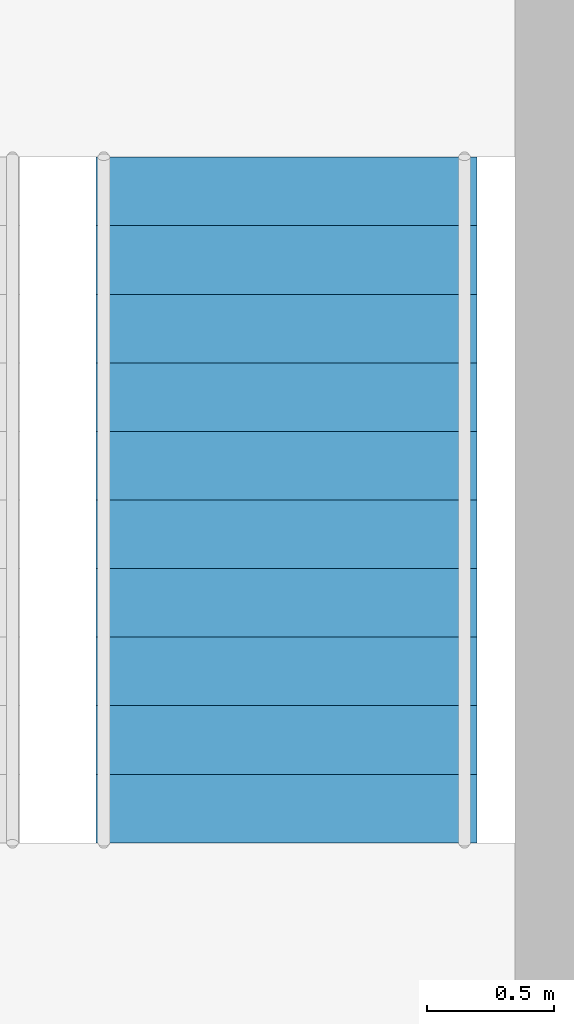
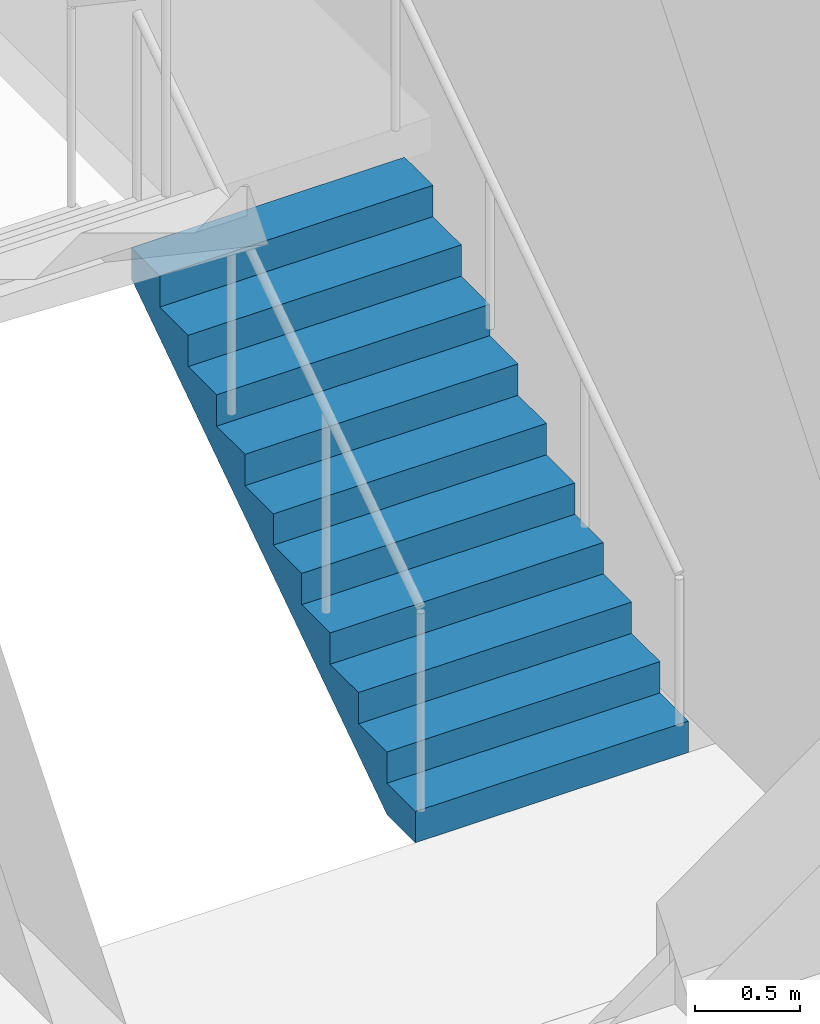
# One storey, part 15 of 16: 1 stair flight, 1 element without a shape of its own.
"""IFC4 building model written with IfcOpenShell, lengths in metres."""

import ifcopenshell
import ifcopenshell.guid

model = None  # the IFC model being written
_history = None  # IfcOwnerHistory: only IFC2X3 demands one
_inside = {}  # id of a spatial element -> (the spatial element, [elements in it])
_under = {}  # id of a project, library or spatial element -> (it, [spatial elements below it])
_declared = {}  # id of a project -> (the project, [libraries it declares])
_typed = {}  # id of a type object -> (the type object, [elements of that type])
_made_of = {}  # id of a material, layer set ... -> (it, [elements and type objects made of it])


def new_model(schema):
    """Start an empty IFC model of exactly this schema.

    Asked for "IFC4X3", IfcOpenShell would pick the latest addendum, in which some entities
    have other attributes; the version numbers below select the first issue.
    IFC2X3 requires an IfcOwnerHistory on every rooted entity: one is made here for all.
    """
    global model, _history
    if schema == "IFC4X3":
        model = ifcopenshell.file(schema_version=(4, 3, 0, 0))
    else:
        model = ifcopenshell.file(schema=schema)
    _inside.clear()
    _under.clear()
    _declared.clear()
    _typed.clear()
    _made_of.clear()
    _history = None
    if model.schema == "IFC2X3":
        org = make("IfcOrganization", Name="unknown")
        user = make(
            "IfcPersonAndOrganization",
            ThePerson=make("IfcPerson", FamilyName="unknown"),
            TheOrganization=org,
        )
        app = make(
            "IfcApplication",
            ApplicationDeveloper=org,
            Version="unknown",
            ApplicationFullName="unknown",
            ApplicationIdentifier="unknown",
        )
        _history = make(
            "IfcOwnerHistory",
            OwningUser=user,
            OwningApplication=app,
            ChangeAction="ADDED",
            CreationDate=0,
        )
    return model


def make(cls, **values):
    """One entity of the class cls with the attributes given. An attribute that is None is left unset."""
    return model.create_entity(
        cls, **{name: value for name, value in values.items() if value is not None}
    )


def rooted(cls, **values):
    """An entity with a GlobalId (a new one), such as an element, a storey or a relation."""
    return make(cls, GlobalId=ifcopenshell.guid.new(), OwnerHistory=_history, **values)


def si_unit(unit_type, name, prefix=None):
    """IfcSIUnit, for example si_unit("LENGTHUNIT", "METRE", prefix="MILLI")."""
    return make("IfcSIUnit", UnitType=unit_type, Prefix=prefix, Name=name)


def assignment(units):
    """IfcUnitAssignment: the units of a project."""
    return None if units is None else make("IfcUnitAssignment", Units=units)


def point(xyz):
    """IfcCartesianPoint."""
    return None if xyz is None else make("IfcCartesianPoint", Coordinates=xyz)


def direction(xyz):
    """IfcDirection."""
    return None if xyz is None else make("IfcDirection", DirectionRatios=xyz)


def frame(location, z_axis=None, x_axis=None):
    """IfcAxis2Placement3D, a coordinate frame: its origin and axes. An axis left out is left unset."""
    return make(
        "IfcAxis2Placement3D",
        Location=point(location),
        Axis=direction(z_axis),
        RefDirection=direction(x_axis),
    )


def origin():
    """The frame at (0, 0, 0) with its axes left unset."""
    return frame((0.0, 0.0, 0.0))


def place(relative_to, where):
    """IfcLocalPlacement: puts the frame where relative to a parent placement (None: the world)."""
    return make(
        "IfcLocalPlacement", PlacementRelTo=relative_to, RelativePlacement=where
    )


def context(
    kind, dimensions, precision=None, world=None, true_north=None, identifier=None
):
    """IfcGeometricRepresentationContext, for example the 3D "Model" context."""
    return make(
        "IfcGeometricRepresentationContext",
        ContextIdentifier=identifier,
        ContextType=kind,
        CoordinateSpaceDimension=dimensions,
        Precision=precision,
        WorldCoordinateSystem=world,
        TrueNorth=true_north,
    )


def subcontext(parent, identifier, kind, view, scale=None):
    """IfcGeometricRepresentationSubContext, for example "Body" below "Model"."""
    return make(
        "IfcGeometricRepresentationSubContext",
        ContextIdentifier=identifier,
        ContextType=kind,
        ParentContext=parent,
        TargetScale=scale,
        TargetView=view,
    )


def project(units=None, contexts=None):
    """IfcProject with its units and contexts."""
    return rooted(
        "IfcProject",
        Name="project",
        RepresentationContexts=contexts,
        UnitsInContext=assignment(units),
    )


def spatial(cls, under=None, at=None, **own):
    """A site, building, storey or space (cls), placed at a placement, below another one or the project."""
    s = rooted(cls, ObjectPlacement=at, **own)
    if under is not None:
        _under.setdefault(under.id(), (under, []))[1].append(s)
    return s


def polyline(points):
    """IfcPolyline through the points."""
    return make("IfcPolyline", Points=[point(p) for p in points])


def outline(outer, holes=None, kind="AREA"):
    """IfcArbitraryClosedProfileDef: a profile drawn as a closed curve; with holes, ...WithVoids."""
    if holes is None:
        return make("IfcArbitraryClosedProfileDef", ProfileType=kind, OuterCurve=outer)
    return make(
        "IfcArbitraryProfileDefWithVoids",
        ProfileType=kind,
        OuterCurve=outer,
        InnerCurves=holes,
    )


def extrude(swept, where, along, depth):
    """IfcExtrudedAreaSolid: the profile swept, set in the frame where, extruded along a direction by depth."""
    return make(
        "IfcExtrudedAreaSolid",
        SweptArea=swept,
        Position=where,
        ExtrudedDirection=direction(along),
        Depth=depth,
    )


def shape(context_of_items, identifier, shape_type, items):
    """IfcShapeRepresentation: the items that make up one representation, for example the "Body"."""
    return make(
        "IfcShapeRepresentation",
        ContextOfItems=context_of_items,
        RepresentationIdentifier=identifier,
        RepresentationType=shape_type,
        Items=items,
    )


def material(Name=None, Category=None):
    """IfcMaterial."""
    return make("IfcMaterial", Name=Name, Category=Category)


def made_of(thing, what):
    """Note that an element or type object is made of a material, layer set ...; save() writes the relation."""
    if what is not None:
        _made_of.setdefault(what.id(), (what, []))[1].append(thing)
    return thing


def type_object(cls, material=None, **own):
    """A type object (cls), such as IfcWallType, which elements share."""
    return made_of(rooted(cls, **own), material)


def element(
    cls,
    number,
    at=None,
    inside=None,
    cuts=None,
    type_object=None,
    material=None,
    context=None,
    identifier="Body",
    shape_type=None,
    held_by="IfcProductDefinitionShape",
    body=None,
    shapes=None,
    **own,
):
    """One element of the class cls, such as IfcWall. Its Tag is "e" and its number.

    at: its placement. inside: the storey or other place that contains it. cuts: it is an
    opening in that element (IfcRelVoidsElement). A single representation is given by context,
    identifier, shape_type and body (its items); several are given by shapes. held_by: the class
    of the entity that holds the representations. save() writes the other relations.
    """
    e = rooted(cls, Tag="e%d" % number, ObjectPlacement=at, **own)
    if body is not None:
        shapes = [shape(context, identifier, shape_type, body)]
    if shapes is not None:
        e.Representation = make(held_by, Representations=shapes)
    if inside is not None:
        _inside.setdefault(inside.id(), (inside, []))[1].append(e)
    if cuts is not None:
        rooted(
            "IfcRelVoidsElement", RelatingBuildingElement=cuts, RelatedOpeningElement=e
        )
    if type_object is not None:
        _typed.setdefault(type_object.id(), (type_object, []))[1].append(e)
    return made_of(e, material)


def aggregate(whole, parts):
    """IfcRelAggregates: a whole, such as a stair, and the parts it consists of."""
    return rooted("IfcRelAggregates", RelatingObject=whole, RelatedObjects=parts)


def save(model, path):
    """Write the relations noted so far, then the file.

    IfcRelAggregates (storeys below a building ...), IfcRelContainedInSpatialStructure (elements
    in a storey), IfcRelDefinesByType, IfcRelAssociatesMaterial and IfcRelDeclares: one each for
    every whole, place, type object, material and project.
    """
    for whole, parts in _under.values():
        aggregate(whole, parts)
    for where, things in _inside.values():
        rooted(
            "IfcRelContainedInSpatialStructure",
            RelatedElements=things,
            RelatingStructure=where,
        )
    for kind, things in _typed.values():
        rooted("IfcRelDefinesByType", RelatedObjects=things, RelatingType=kind)
    for what, things in _made_of.values():
        rooted("IfcRelAssociatesMaterial", RelatedObjects=things, RelatingMaterial=what)
    for by, libraries in _declared.values():
        rooted("IfcRelDeclares", RelatingContext=by, RelatedDefinitions=libraries)
    model.write(path)


model = new_model("IFC4")

# Units and contexts
model_context = context("Model", 3, precision=1e-05, world=origin(), true_north=direction((0.0, 1.0)))
body_context = subcontext(model_context, "Body", "Model", "MODEL_VIEW")
ifc_project = project(units=[si_unit("LENGTHUNIT", "METRE"), si_unit("AREAUNIT", "SQUARE_METRE"), si_unit("VOLUMEUNIT", "CUBIC_METRE"), si_unit("PLANEANGLEUNIT", "RADIAN"), si_unit("MASSUNIT", "GRAM", prefix="KILO")], contexts=[model_context])

# Site, building, storey
site_placement = place(None, origin())
site = spatial("IfcSite", under=ifc_project, at=site_placement, CompositionType="ELEMENT")
building_placement = place(site_placement, origin())
building = spatial("IfcBuilding", under=site, at=building_placement, Name="Peilmerk Tower", CompositionType="ELEMENT")
storey_placement = place(building_placement, frame((0.0, 0.0, 277.800048828125)))
storey = spatial("IfcBuildingStorey", under=building, at=storey_placement, Name="L62", CompositionType="ELEMENT", Elevation=277.800048828125)

# Stair, stair flight
ifc_material = material(Name="Precast concrete C45/55", Category="concrete")
stair_type = type_object("IfcStairType", Name="ST2 22 risers of 181.8", PredefinedType="HALF_TURN_STAIR", material=ifc_material)
stair_placement = place(storey_placement, origin())
stair = element("IfcStair", 1, at=stair_placement, inside=storey, type_object=stair_type, Name="Stair 2 L62 to L63", PredefinedType="HALF_TURN_STAIR")
stair_flight_type = type_object("IfcStairFlightType", Name="SF11 flight, 11 risers of 181.8", PredefinedType="STRAIGHT", material=ifc_material)
stair_flight_placement = place(storey_placement, frame((9.60009765625, -2.89990234375, 0.0), z_axis=(0.0, 0.0, 1.0), x_axis=(0.0, 1.0, 0.0)))
stair_flight = element("IfcStairFlight", 2, at=stair_flight_placement, type_object=stair_flight_type, Name="ST2 flight 1", NumberOfRisers=11, NumberOfTreads=10, PredefinedType="STRAIGHT", RiserHeight=0.181818182, TreadLength=0.27, context=body_context, shape_type="SweptSolid", body=[
    extrude(outline(polyline([(0.0, 0.0), (0.0, 0.181884765625), (0.27001953125, 0.181884765625), (0.27001953125, 0.363525390625), (0.5400390625, 0.363525390625), (0.5400390625, 0.54541015625), (0.81005859375, 0.54541015625), (0.81005859375, 0.727294921875), (1.080078125, 0.727294921875), (1.080078125, 0.9091796875), (1.35009765625, 0.9091796875), (1.35009765625, 1.0908203125), (1.6201171875, 1.0908203125), (1.6201171875, 1.272705078125), (1.889892578125, 1.272705078125), (1.889892578125, 1.45458984375), (2.159912109375, 1.45458984375), (2.159912109375, 1.636474609375), (2.429931640625, 1.636474609375), (2.429931640625, 1.818115234375), (2.699951171875, 1.818115234375), (2.699951171875, 2.0), (2.699951171875, 1.637451171875), (0.268310546875, 0.0), (0.0, 0.0)])), frame((0.0, 0.75, 0.0), z_axis=(0.0, -1.0, 0.0), x_axis=(1.0, 0.0, 0.0)), (0.0, 0.0, 1.0), 1.5),
])
aggregate(stair, [stair_flight])

save(model, "model.ifc")
